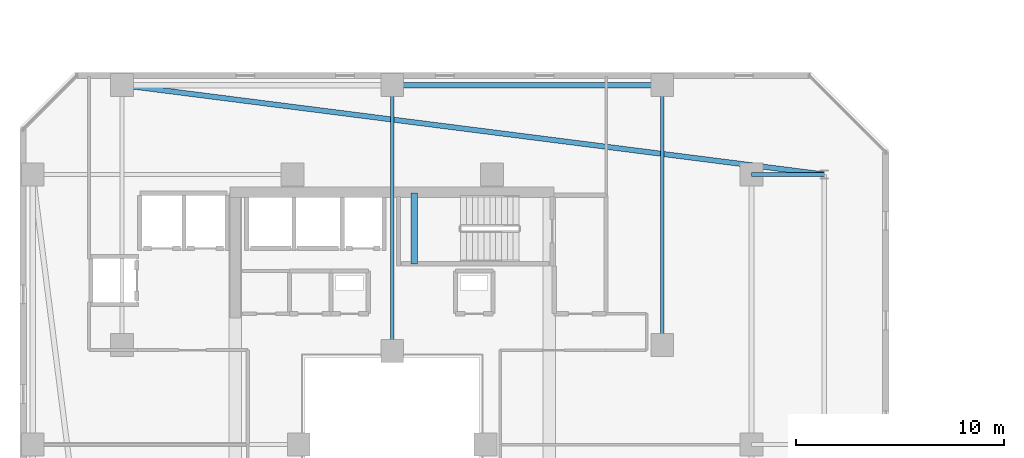
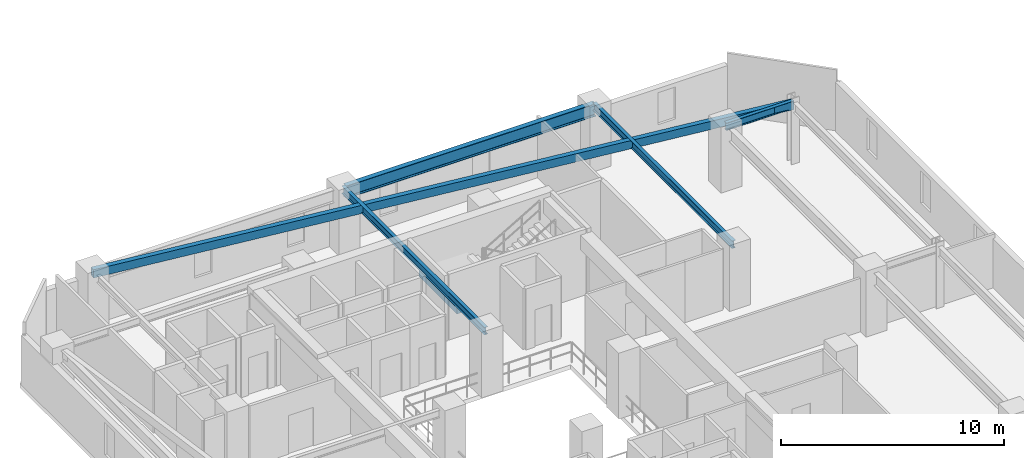
# One storey, part 9 of 32: 6 beams.
"""IFC4 building model written with IfcOpenShell, lengths in metres."""

import ifcopenshell
import ifcopenshell.guid

model = None  # the IFC model being written
_history = None  # IfcOwnerHistory: only IFC2X3 demands one
_inside = {}  # id of a spatial element -> (the spatial element, [elements in it])
_under = {}  # id of a project, library or spatial element -> (it, [spatial elements below it])
_declared = {}  # id of a project -> (the project, [libraries it declares])
_typed = {}  # id of a type object -> (the type object, [elements of that type])
_made_of = {}  # id of a material, layer set ... -> (it, [elements and type objects made of it])


def new_model(schema):
    """Start an empty IFC model of exactly this schema.

    Asked for "IFC4X3", IfcOpenShell would pick the latest addendum, in which some entities
    have other attributes; the version numbers below select the first issue.
    IFC2X3 requires an IfcOwnerHistory on every rooted entity: one is made here for all.
    """
    global model, _history
    if schema == "IFC4X3":
        model = ifcopenshell.file(schema_version=(4, 3, 0, 0))
    else:
        model = ifcopenshell.file(schema=schema)
    _inside.clear()
    _under.clear()
    _declared.clear()
    _typed.clear()
    _made_of.clear()
    _history = None
    if model.schema == "IFC2X3":
        org = make("IfcOrganization", Name="unknown")
        user = make(
            "IfcPersonAndOrganization",
            ThePerson=make("IfcPerson", FamilyName="unknown"),
            TheOrganization=org,
        )
        app = make(
            "IfcApplication",
            ApplicationDeveloper=org,
            Version="unknown",
            ApplicationFullName="unknown",
            ApplicationIdentifier="unknown",
        )
        _history = make(
            "IfcOwnerHistory",
            OwningUser=user,
            OwningApplication=app,
            ChangeAction="ADDED",
            CreationDate=0,
        )
    return model


def make(cls, **values):
    """One entity of the class cls with the attributes given. An attribute that is None is left unset."""
    return model.create_entity(
        cls, **{name: value for name, value in values.items() if value is not None}
    )


def rooted(cls, **values):
    """An entity with a GlobalId (a new one), such as an element, a storey or a relation."""
    return make(cls, GlobalId=ifcopenshell.guid.new(), OwnerHistory=_history, **values)


def si_unit(unit_type, name, prefix=None):
    """IfcSIUnit, for example si_unit("LENGTHUNIT", "METRE", prefix="MILLI")."""
    return make("IfcSIUnit", UnitType=unit_type, Prefix=prefix, Name=name)


def assignment(units):
    """IfcUnitAssignment: the units of a project."""
    return None if units is None else make("IfcUnitAssignment", Units=units)


def point(xyz):
    """IfcCartesianPoint."""
    return None if xyz is None else make("IfcCartesianPoint", Coordinates=xyz)


def direction(xyz):
    """IfcDirection."""
    return None if xyz is None else make("IfcDirection", DirectionRatios=xyz)


def frame(location, z_axis=None, x_axis=None):
    """IfcAxis2Placement3D, a coordinate frame: its origin and axes. An axis left out is left unset."""
    return make(
        "IfcAxis2Placement3D",
        Location=point(location),
        Axis=direction(z_axis),
        RefDirection=direction(x_axis),
    )


def frame_2d(location, x_axis=None):
    """IfcAxis2Placement2D, a coordinate frame in the plane: its origin and x axis."""
    return make(
        "IfcAxis2Placement2D", Location=point(location), RefDirection=direction(x_axis)
    )


def origin():
    """The frame at (0, 0, 0) with its axes left unset."""
    return frame((0.0, 0.0, 0.0))


def origin_2d():
    """The frame at (0, 0) in the plane with its x axis left unset."""
    return frame_2d((0.0, 0.0))


def place(relative_to, where):
    """IfcLocalPlacement: puts the frame where relative to a parent placement (None: the world)."""
    return make(
        "IfcLocalPlacement", PlacementRelTo=relative_to, RelativePlacement=where
    )


def context(
    kind, dimensions, precision=None, world=None, true_north=None, identifier=None
):
    """IfcGeometricRepresentationContext, for example the 3D "Model" context."""
    return make(
        "IfcGeometricRepresentationContext",
        ContextIdentifier=identifier,
        ContextType=kind,
        CoordinateSpaceDimension=dimensions,
        Precision=precision,
        WorldCoordinateSystem=world,
        TrueNorth=true_north,
    )


def subcontext(parent, identifier, kind, view, scale=None):
    """IfcGeometricRepresentationSubContext, for example "Body" below "Model"."""
    return make(
        "IfcGeometricRepresentationSubContext",
        ContextIdentifier=identifier,
        ContextType=kind,
        ParentContext=parent,
        TargetScale=scale,
        TargetView=view,
    )


def project(units=None, contexts=None):
    """IfcProject with its units and contexts."""
    return rooted(
        "IfcProject",
        Name="project",
        RepresentationContexts=contexts,
        UnitsInContext=assignment(units),
    )


def spatial(cls, under=None, at=None, **own):
    """A site, building, storey or space (cls), placed at a placement, below another one or the project."""
    s = rooted(cls, ObjectPlacement=at, **own)
    if under is not None:
        _under.setdefault(under.id(), (under, []))[1].append(s)
    return s


def profile(cls, at=None, kind="AREA", **sizes):
    """A parametric profile (cls). Its sizes go by their IFC names, for example OverallWidth=200.0."""
    return make(cls, ProfileType=kind, Position=at, **sizes)


def rectangle(**sizes):
    """IfcRectangleProfileDef."""
    return profile("IfcRectangleProfileDef", **sizes)


def hollow_rectangle(**sizes):
    """IfcRectangleHollowProfileDef."""
    return profile("IfcRectangleHollowProfileDef", **sizes)


def i_section(**sizes):
    """IfcIShapeProfileDef."""
    return profile("IfcIShapeProfileDef", **sizes)


def extrude(swept, where, along, depth):
    """IfcExtrudedAreaSolid: the profile swept, set in the frame where, extruded along a direction by depth."""
    return make(
        "IfcExtrudedAreaSolid",
        SweptArea=swept,
        Position=where,
        ExtrudedDirection=direction(along),
        Depth=depth,
    )


def shape(context_of_items, identifier, shape_type, items):
    """IfcShapeRepresentation: the items that make up one representation, for example the "Body"."""
    return make(
        "IfcShapeRepresentation",
        ContextOfItems=context_of_items,
        RepresentationIdentifier=identifier,
        RepresentationType=shape_type,
        Items=items,
    )


def material(Name=None, Category=None):
    """IfcMaterial."""
    return make("IfcMaterial", Name=Name, Category=Category)


def material_profile(
    of_material, cross_section, Name=None, Category=None, Priority=None
):
    """IfcMaterialProfile: a cross section and its material."""
    return make(
        "IfcMaterialProfile",
        Name=Name,
        Material=of_material,
        Profile=cross_section,
        Priority=Priority,
        Category=Category,
    )


def profile_set(profiles, Name=None, composite=None):
    """IfcMaterialProfileSet."""
    return make(
        "IfcMaterialProfileSet",
        Name=Name,
        MaterialProfiles=profiles,
        CompositeProfile=composite,
    )


def made_of(thing, what):
    """Note that an element or type object is made of a material, layer set ...; save() writes the relation."""
    if what is not None:
        _made_of.setdefault(what.id(), (what, []))[1].append(thing)
    return thing


def type_object(cls, material=None, **own):
    """A type object (cls), such as IfcWallType, which elements share."""
    return made_of(rooted(cls, **own), material)


def element(
    cls,
    number,
    at=None,
    inside=None,
    cuts=None,
    type_object=None,
    material=None,
    context=None,
    identifier="Body",
    shape_type=None,
    held_by="IfcProductDefinitionShape",
    body=None,
    shapes=None,
    **own,
):
    """One element of the class cls, such as IfcWall. Its Tag is "e" and its number.

    at: its placement. inside: the storey or other place that contains it. cuts: it is an
    opening in that element (IfcRelVoidsElement). A single representation is given by context,
    identifier, shape_type and body (its items); several are given by shapes. held_by: the class
    of the entity that holds the representations. save() writes the other relations.
    """
    e = rooted(cls, Tag="e%d" % number, ObjectPlacement=at, **own)
    if body is not None:
        shapes = [shape(context, identifier, shape_type, body)]
    if shapes is not None:
        e.Representation = make(held_by, Representations=shapes)
    if inside is not None:
        _inside.setdefault(inside.id(), (inside, []))[1].append(e)
    if cuts is not None:
        rooted(
            "IfcRelVoidsElement", RelatingBuildingElement=cuts, RelatedOpeningElement=e
        )
    if type_object is not None:
        _typed.setdefault(type_object.id(), (type_object, []))[1].append(e)
    return made_of(e, material)


def aggregate(whole, parts):
    """IfcRelAggregates: a whole, such as a stair, and the parts it consists of."""
    return rooted("IfcRelAggregates", RelatingObject=whole, RelatedObjects=parts)


def save(model, path):
    """Write the relations noted so far, then the file.

    IfcRelAggregates (storeys below a building ...), IfcRelContainedInSpatialStructure (elements
    in a storey), IfcRelDefinesByType, IfcRelAssociatesMaterial and IfcRelDeclares: one each for
    every whole, place, type object, material and project.
    """
    for whole, parts in _under.values():
        aggregate(whole, parts)
    for where, things in _inside.values():
        rooted(
            "IfcRelContainedInSpatialStructure",
            RelatedElements=things,
            RelatingStructure=where,
        )
    for kind, things in _typed.values():
        rooted("IfcRelDefinesByType", RelatedObjects=things, RelatingType=kind)
    for what, things in _made_of.values():
        rooted("IfcRelAssociatesMaterial", RelatedObjects=things, RelatingMaterial=what)
    for by, libraries in _declared.values():
        rooted("IfcRelDeclares", RelatingContext=by, RelatedDefinitions=libraries)
    model.write(path)


model = new_model("IFC4")

# Units and contexts
model_context = context("Model", 3, precision=1e-05, world=origin(), true_north=direction((0.0, 1.0)))
body_context = subcontext(model_context, "Body", "Model", "MODEL_VIEW")
ifc_project = project(units=[si_unit("LENGTHUNIT", "METRE"), si_unit("AREAUNIT", "SQUARE_METRE"), si_unit("VOLUMEUNIT", "CUBIC_METRE"), si_unit("PLANEANGLEUNIT", "RADIAN"), si_unit("MASSUNIT", "GRAM", prefix="KILO")], contexts=[model_context])

# Site, building, storey
site_placement = place(None, origin())
site = spatial("IfcSite", under=ifc_project, at=site_placement, CompositionType="ELEMENT")
building_placement = place(site_placement, origin())
building = spatial("IfcBuilding", under=site, at=building_placement, Name="Thornwick Lancets Civic Towers", CompositionType="ELEMENT")
storey_placement = place(building_placement, frame((0.0, 0.0, 156.300048828125)))
storey = spatial("IfcBuildingStorey", under=building, at=storey_placement, Name="L41", CompositionType="ELEMENT", Elevation=156.300048828125)

# Beams
ifc_material_1 = material(Name="Steel S355JR", Category="steel")
ifc_material_profile_1 = material_profile(ifc_material_1, i_section(OverallWidth=0.255859375, OverallDepth=0.69287109375, WebThickness=0.014404296875, FlangeThickness=0.023681640625, FilletRadius=0.01513671875, at=origin_2d()), Name="UKB 686x254x170")
ifc_profile_set_1 = profile_set([ifc_material_profile_1], Name="Steel S355JR")
beam_type_1 = type_object("IfcBeamType", Name="BM_GIRD_686_170", PredefinedType="BEAM", material=ifc_profile_set_1)
beam_1_placement = place(storey_placement, frame((25.580078125, 44.300048828125, 3.013427734375), z_axis=(1.0, 0.0, 0.0), x_axis=(0.0, 1.0, 0.0)))
element("IfcBeam", 1, at=beam_1_placement, inside=storey, type_object=beam_type_1, Name="BM-SPINE-L41-A-7-8", PredefinedType="BEAM", context=body_context, shape_type="SweptSolid", body=[
    extrude(i_section(OverallWidth=0.255859375, OverallDepth=0.69287109375, WebThickness=0.014404296875, FlangeThickness=0.023681640625, FilletRadius=0.01513671875, at=origin_2d()), origin(), (0.0, 0.0, 1.0), 12.919921875),
])
ifc_material_profile_2 = material_profile(ifc_material_1, i_section(OverallWidth=0.179443359375, OverallDepth=0.412841796875, WebThickness=0.009521484375, FlangeThickness=0.01611328125, FilletRadius=0.01025390625, at=origin_2d()), Name="UKB 406x178x74")
ifc_profile_set_2 = profile_set([ifc_material_profile_2], Name="Steel S355JR")
beam_type_2 = type_object("IfcBeamType", Name="BM_JOIST_406_74", PredefinedType="JOIST", material=ifc_profile_set_2)
beam_2_placement = place(storey_placement, frame((42.800048828125, 40.0, 3.153564453125), z_axis=(1.0, 0.0, 0.0), x_axis=(0.0, 1.0, 0.0)))
element("IfcBeam", 2, at=beam_2_placement, inside=storey, type_object=beam_type_2, Name="BM-RAD-L41-A06", PredefinedType="JOIST", context=body_context, shape_type="SweptSolid", body=[
    extrude(i_section(OverallWidth=0.179443359375, OverallDepth=0.412841796875, WebThickness=0.009521484375, FlangeThickness=0.01611328125, FilletRadius=0.01025390625, at=origin_2d()), origin(), (0.0, 0.0, 1.0), 3.5),
])
beam_3_placement = place(storey_placement, frame((25.5, 31.5, 3.153564453125), z_axis=(0.0, 1.0, 0.0), x_axis=(-1.0, 0.0, 0.0)))
element("IfcBeam", 3, at=beam_3_placement, inside=storey, type_object=beam_type_2, Name="BM-RADIN-L41-A08", PredefinedType="JOIST", context=body_context, shape_type="SweptSolid", body=[
    extrude(i_section(OverallWidth=0.179443359375, OverallDepth=0.412841796875, WebThickness=0.009521484375, FlangeThickness=0.01611328125, FilletRadius=0.01025390625, at=origin_2d()), origin(), (0.0, 0.0, 1.0), 12.800048828125),
])
beam_4_placement = place(storey_placement, frame((38.5, 31.800048828125, 3.153564453125), z_axis=(0.0, 1.0, 0.0), x_axis=(-1.0, 0.0, 0.0)))
element("IfcBeam", 4, at=beam_4_placement, inside=storey, type_object=beam_type_2, Name="BM-RADIN-L41-A09", PredefinedType="JOIST", context=body_context, shape_type="SweptSolid", body=[
    extrude(i_section(OverallWidth=0.179443359375, OverallDepth=0.412841796875, WebThickness=0.009521484375, FlangeThickness=0.01611328125, FilletRadius=0.01025390625, at=origin_2d()), origin(), (0.0, 0.0, 1.0), 12.5),
])
ifc_material_profile_3 = material_profile(ifc_material_1, hollow_rectangle(XDim=0.25, YDim=0.449951171875, WallThickness=0.01611328125, at=origin_2d()), Name="RHS 450x250x16")
ifc_profile_set_3 = profile_set([ifc_material_profile_3], Name="Steel S355JR")
beam_type_3 = type_object("IfcBeamType", Name="BM_RING_RHS450", PredefinedType="BEAM", material=ifc_profile_set_3)
beam_5_placement = place(storey_placement, frame((46.300048828125, 40.0, 3.135009765625), z_axis=(-0.992004437051, 0.126202998662, 0.0), x_axis=(-0.126202998662, -0.992004437051, 0.0)))
element("IfcBeam", 5, at=beam_5_placement, inside=storey, type_object=beam_type_3, Name="BM-CHAMF-L41-A-C1", PredefinedType="BEAM", context=body_context, shape_type="SweptSolid", body=[
    extrude(hollow_rectangle(XDim=0.25, YDim=0.449951171875, WallThickness=0.01611328125, at=origin_2d()), origin(), (0.0, 0.0, 1.0), 34.072509765625),
])
ifc_material_2 = material(Name="Concrete C40/50", Category="concrete")
ifc_material_profile_4 = material_profile(ifc_material_2, rectangle(XDim=0.300048828125, YDim=0.35009765625, at=origin_2d()), Name="RC 300x350")
ifc_profile_set_4 = profile_set([ifc_material_profile_4], Name="Concrete C40/50")
beam_type_4 = type_object("IfcBeamType", Name="BM_STAIR_LDG", PredefinedType="BEAM", material=ifc_profile_set_4)
beam_6_placement = place(storey_placement, frame((26.56494140625, 39.10009765625, 1.3779296875), z_axis=(0.0, -1.0, 0.0), x_axis=(1.0, 0.0, 0.0)))
element("IfcBeam", 6, at=beam_6_placement, inside=storey, type_object=beam_type_4, Name="L41 ST-A2 Landing Support Beam 1", PredefinedType="BEAM", context=body_context, shape_type="SweptSolid", body=[
    extrude(rectangle(XDim=0.300048828125, YDim=0.35009765625, at=origin_2d()), origin(), (0.0, 0.0, 1.0), 3.400146484375),
])

save(model, "model.ifc")
